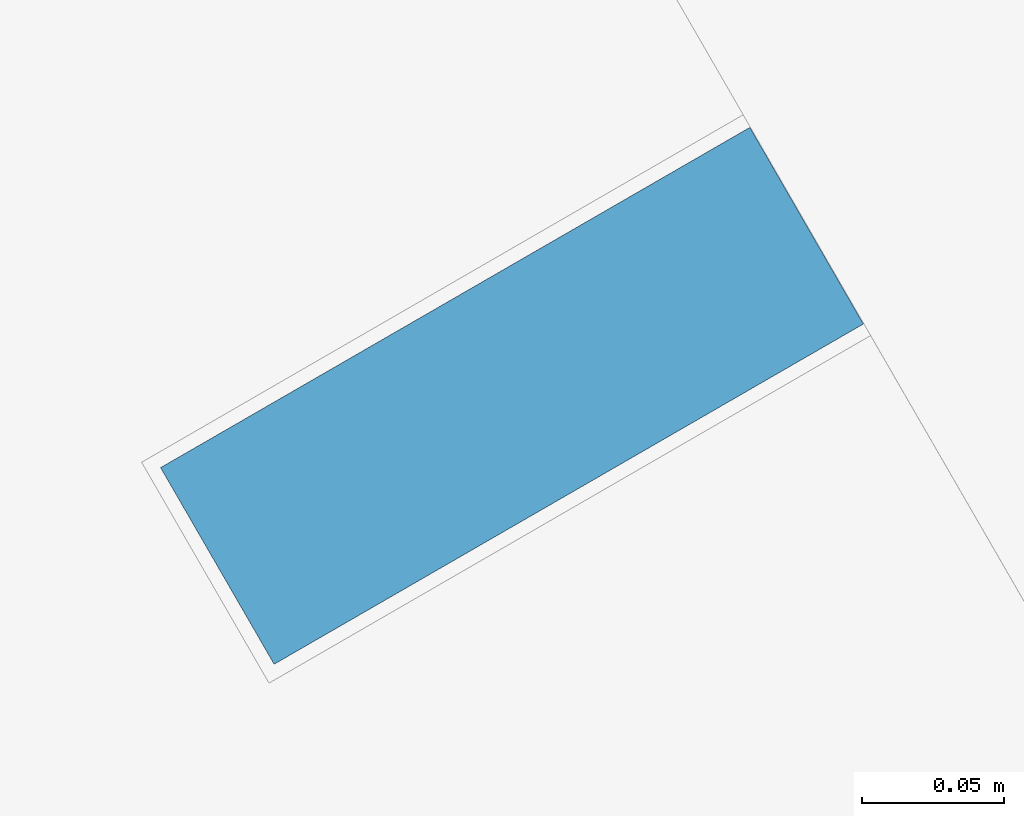
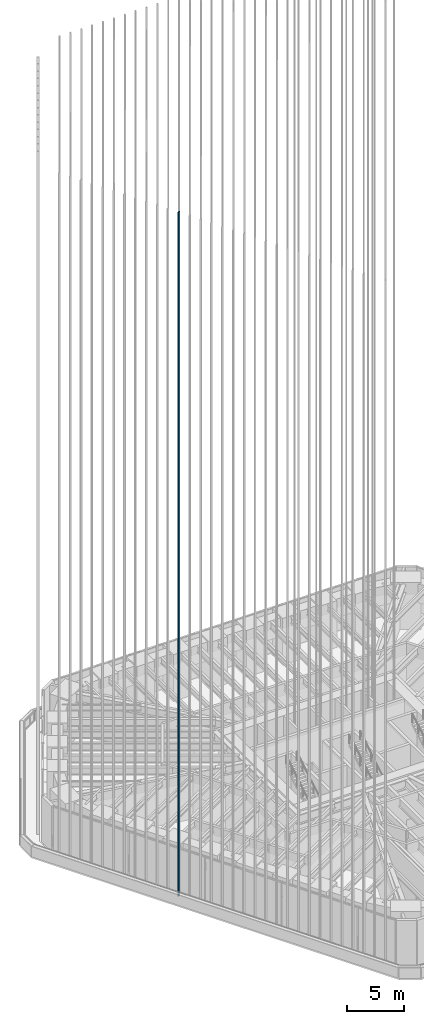
# One storey, part 53 of 228: 1 member, 1 element without a shape of its own.
"""IFC4 building model written with IfcOpenShell, lengths in metres."""

import ifcopenshell
import ifcopenshell.guid

model = None  # the IFC model being written
_history = None  # IfcOwnerHistory: only IFC2X3 demands one
_inside = {}  # id of a spatial element -> (the spatial element, [elements in it])
_under = {}  # id of a project, library or spatial element -> (it, [spatial elements below it])
_declared = {}  # id of a project -> (the project, [libraries it declares])
_typed = {}  # id of a type object -> (the type object, [elements of that type])
_made_of = {}  # id of a material, layer set ... -> (it, [elements and type objects made of it])


def new_model(schema):
    """Start an empty IFC model of exactly this schema.

    Asked for "IFC4X3", IfcOpenShell would pick the latest addendum, in which some entities
    have other attributes; the version numbers below select the first issue.
    IFC2X3 requires an IfcOwnerHistory on every rooted entity: one is made here for all.
    """
    global model, _history
    if schema == "IFC4X3":
        model = ifcopenshell.file(schema_version=(4, 3, 0, 0))
    else:
        model = ifcopenshell.file(schema=schema)
    _inside.clear()
    _under.clear()
    _declared.clear()
    _typed.clear()
    _made_of.clear()
    _history = None
    if model.schema == "IFC2X3":
        org = make("IfcOrganization", Name="unknown")
        user = make(
            "IfcPersonAndOrganization",
            ThePerson=make("IfcPerson", FamilyName="unknown"),
            TheOrganization=org,
        )
        app = make(
            "IfcApplication",
            ApplicationDeveloper=org,
            Version="unknown",
            ApplicationFullName="unknown",
            ApplicationIdentifier="unknown",
        )
        _history = make(
            "IfcOwnerHistory",
            OwningUser=user,
            OwningApplication=app,
            ChangeAction="ADDED",
            CreationDate=0,
        )
    return model


def make(cls, **values):
    """One entity of the class cls with the attributes given. An attribute that is None is left unset."""
    return model.create_entity(
        cls, **{name: value for name, value in values.items() if value is not None}
    )


def rooted(cls, **values):
    """An entity with a GlobalId (a new one), such as an element, a storey or a relation."""
    return make(cls, GlobalId=ifcopenshell.guid.new(), OwnerHistory=_history, **values)


def si_unit(unit_type, name, prefix=None):
    """IfcSIUnit, for example si_unit("LENGTHUNIT", "METRE", prefix="MILLI")."""
    return make("IfcSIUnit", UnitType=unit_type, Prefix=prefix, Name=name)


def assignment(units):
    """IfcUnitAssignment: the units of a project."""
    return None if units is None else make("IfcUnitAssignment", Units=units)


def point(xyz):
    """IfcCartesianPoint."""
    return None if xyz is None else make("IfcCartesianPoint", Coordinates=xyz)


def direction(xyz):
    """IfcDirection."""
    return None if xyz is None else make("IfcDirection", DirectionRatios=xyz)


def frame(location, z_axis=None, x_axis=None):
    """IfcAxis2Placement3D, a coordinate frame: its origin and axes. An axis left out is left unset."""
    return make(
        "IfcAxis2Placement3D",
        Location=point(location),
        Axis=direction(z_axis),
        RefDirection=direction(x_axis),
    )


def frame_2d(location, x_axis=None):
    """IfcAxis2Placement2D, a coordinate frame in the plane: its origin and x axis."""
    return make(
        "IfcAxis2Placement2D", Location=point(location), RefDirection=direction(x_axis)
    )


def origin():
    """The frame at (0, 0, 0) with its axes left unset."""
    return frame((0.0, 0.0, 0.0))


def origin_2d():
    """The frame at (0, 0) in the plane with its x axis left unset."""
    return frame_2d((0.0, 0.0))


def place(relative_to, where):
    """IfcLocalPlacement: puts the frame where relative to a parent placement (None: the world)."""
    return make(
        "IfcLocalPlacement", PlacementRelTo=relative_to, RelativePlacement=where
    )


def context(
    kind, dimensions, precision=None, world=None, true_north=None, identifier=None
):
    """IfcGeometricRepresentationContext, for example the 3D "Model" context."""
    return make(
        "IfcGeometricRepresentationContext",
        ContextIdentifier=identifier,
        ContextType=kind,
        CoordinateSpaceDimension=dimensions,
        Precision=precision,
        WorldCoordinateSystem=world,
        TrueNorth=true_north,
    )


def subcontext(parent, identifier, kind, view, scale=None):
    """IfcGeometricRepresentationSubContext, for example "Body" below "Model"."""
    return make(
        "IfcGeometricRepresentationSubContext",
        ContextIdentifier=identifier,
        ContextType=kind,
        ParentContext=parent,
        TargetScale=scale,
        TargetView=view,
    )


def project(units=None, contexts=None):
    """IfcProject with its units and contexts."""
    return rooted(
        "IfcProject",
        Name="project",
        RepresentationContexts=contexts,
        UnitsInContext=assignment(units),
    )


def spatial(cls, under=None, at=None, **own):
    """A site, building, storey or space (cls), placed at a placement, below another one or the project."""
    s = rooted(cls, ObjectPlacement=at, **own)
    if under is not None:
        _under.setdefault(under.id(), (under, []))[1].append(s)
    return s


def profile(cls, at=None, kind="AREA", **sizes):
    """A parametric profile (cls). Its sizes go by their IFC names, for example OverallWidth=200.0."""
    return make(cls, ProfileType=kind, Position=at, **sizes)


def rectangle(**sizes):
    """IfcRectangleProfileDef."""
    return profile("IfcRectangleProfileDef", **sizes)


def extrude(swept, where, along, depth):
    """IfcExtrudedAreaSolid: the profile swept, set in the frame where, extruded along a direction by depth."""
    return make(
        "IfcExtrudedAreaSolid",
        SweptArea=swept,
        Position=where,
        ExtrudedDirection=direction(along),
        Depth=depth,
    )


def shape(context_of_items, identifier, shape_type, items):
    """IfcShapeRepresentation: the items that make up one representation, for example the "Body"."""
    return make(
        "IfcShapeRepresentation",
        ContextOfItems=context_of_items,
        RepresentationIdentifier=identifier,
        RepresentationType=shape_type,
        Items=items,
    )


def material(Name=None, Category=None):
    """IfcMaterial."""
    return make("IfcMaterial", Name=Name, Category=Category)


def material_profile(
    of_material, cross_section, Name=None, Category=None, Priority=None
):
    """IfcMaterialProfile: a cross section and its material."""
    return make(
        "IfcMaterialProfile",
        Name=Name,
        Material=of_material,
        Profile=cross_section,
        Priority=Priority,
        Category=Category,
    )


def profile_set(profiles, Name=None, composite=None):
    """IfcMaterialProfileSet."""
    return make(
        "IfcMaterialProfileSet",
        Name=Name,
        MaterialProfiles=profiles,
        CompositeProfile=composite,
    )


def made_of(thing, what):
    """Note that an element or type object is made of a material, layer set ...; save() writes the relation."""
    if what is not None:
        _made_of.setdefault(what.id(), (what, []))[1].append(thing)
    return thing


def type_object(cls, material=None, **own):
    """A type object (cls), such as IfcWallType, which elements share."""
    return made_of(rooted(cls, **own), material)


def element(
    cls,
    number,
    at=None,
    inside=None,
    cuts=None,
    type_object=None,
    material=None,
    context=None,
    identifier="Body",
    shape_type=None,
    held_by="IfcProductDefinitionShape",
    body=None,
    shapes=None,
    **own,
):
    """One element of the class cls, such as IfcWall. Its Tag is "e" and its number.

    at: its placement. inside: the storey or other place that contains it. cuts: it is an
    opening in that element (IfcRelVoidsElement). A single representation is given by context,
    identifier, shape_type and body (its items); several are given by shapes. held_by: the class
    of the entity that holds the representations. save() writes the other relations.
    """
    e = rooted(cls, Tag="e%d" % number, ObjectPlacement=at, **own)
    if body is not None:
        shapes = [shape(context, identifier, shape_type, body)]
    if shapes is not None:
        e.Representation = make(held_by, Representations=shapes)
    if inside is not None:
        _inside.setdefault(inside.id(), (inside, []))[1].append(e)
    if cuts is not None:
        rooted(
            "IfcRelVoidsElement", RelatingBuildingElement=cuts, RelatedOpeningElement=e
        )
    if type_object is not None:
        _typed.setdefault(type_object.id(), (type_object, []))[1].append(e)
    return made_of(e, material)


def aggregate(whole, parts):
    """IfcRelAggregates: a whole, such as a stair, and the parts it consists of."""
    return rooted("IfcRelAggregates", RelatingObject=whole, RelatedObjects=parts)


def save(model, path):
    """Write the relations noted so far, then the file.

    IfcRelAggregates (storeys below a building ...), IfcRelContainedInSpatialStructure (elements
    in a storey), IfcRelDefinesByType, IfcRelAssociatesMaterial and IfcRelDeclares: one each for
    every whole, place, type object, material and project.
    """
    for whole, parts in _under.values():
        aggregate(whole, parts)
    for where, things in _inside.values():
        rooted(
            "IfcRelContainedInSpatialStructure",
            RelatedElements=things,
            RelatingStructure=where,
        )
    for kind, things in _typed.values():
        rooted("IfcRelDefinesByType", RelatedObjects=things, RelatingType=kind)
    for what, things in _made_of.values():
        rooted("IfcRelAssociatesMaterial", RelatedObjects=things, RelatingMaterial=what)
    for by, libraries in _declared.values():
        rooted("IfcRelDeclares", RelatingContext=by, RelatedDefinitions=libraries)
    model.write(path)


model = new_model("IFC4")

# Units and contexts
model_context = context("Model", 3, precision=1e-05, world=origin(), true_north=direction((0.0, 1.0)))
body_context = subcontext(model_context, "Body", "Model", "MODEL_VIEW")
ifc_project = project(units=[si_unit("LENGTHUNIT", "METRE"), si_unit("AREAUNIT", "SQUARE_METRE"), si_unit("VOLUMEUNIT", "CUBIC_METRE"), si_unit("PLANEANGLEUNIT", "RADIAN"), si_unit("MASSUNIT", "GRAM", prefix="KILO")], contexts=[model_context])

# Site, building, storey
site_placement = place(None, origin())
site = spatial("IfcSite", under=ifc_project, at=site_placement, CompositionType="ELEMENT")
building_placement = place(site_placement, origin())
building = spatial("IfcBuilding", under=site, at=building_placement, Name="Sandreach Pilgrim Tower", CompositionType="ELEMENT")
storey_placement = place(building_placement, frame((0.0, 0.0, 178.199951171875)))
storey = spatial("IfcBuildingStorey", under=building, at=storey_placement, Name="L44", CompositionType="ELEMENT", Elevation=178.199951171875)

# Curtain wall, member
ifc_material_1 = material(Name="Aluminium framed curtain wall", Category="aluminium")
curtain_wall_type = type_object("IfcCurtainWallType", Name="Upper hotel tower curtain wall", PredefinedType="NOTDEFINED", material=ifc_material_1)
curtain_wall_placement = place(storey_placement, origin())
curtain_wall = element("IfcCurtainWall", 1, at=curtain_wall_placement, inside=storey, type_object=curtain_wall_type, Name="CW-3 L44 SW", PredefinedType="NOTDEFINED")
ifc_material_2 = material(Name="Extruded terracotta on aluminium core", Category="masonry")
ifc_material_profile = material_profile(ifc_material_2, rectangle(XDim=0.080078125, YDim=0.239990234375, at=origin_2d()), Name="TBW 80X240")
ifc_profile_set = profile_set([ifc_material_profile], Name="Extruded terracotta on aluminium core")
member_type = type_object("IfcMemberType", Name="Terracotta baguette west", PredefinedType="USERDEFINED", material=ifc_profile_set)
member_placement = place(storey_placement, frame((-20.89306640625, -6.97265625, 0.0), z_axis=(0.0, 0.0, 1.0), x_axis=(-0.5, 0.866025403784, 0.0)))
member = element("IfcMember", 2, at=member_placement, type_object=member_type, Name="Baguette Z3 SW20", ObjectType="BAGUETTE", PredefinedType="USERDEFINED", context=body_context, shape_type="SweptSolid", body=[
    extrude(rectangle(XDim=0.080078125, YDim=0.239990234375, at=origin_2d()), origin(), (0.0, 0.0, 1.0), 73.239990234375),
])
aggregate(curtain_wall, [member])

save(model, "model.ifc")
